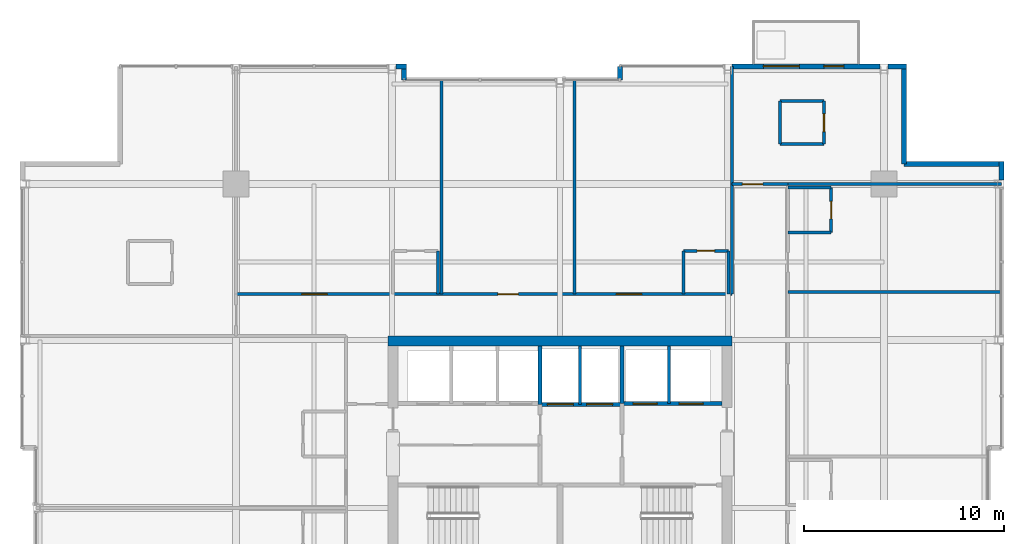
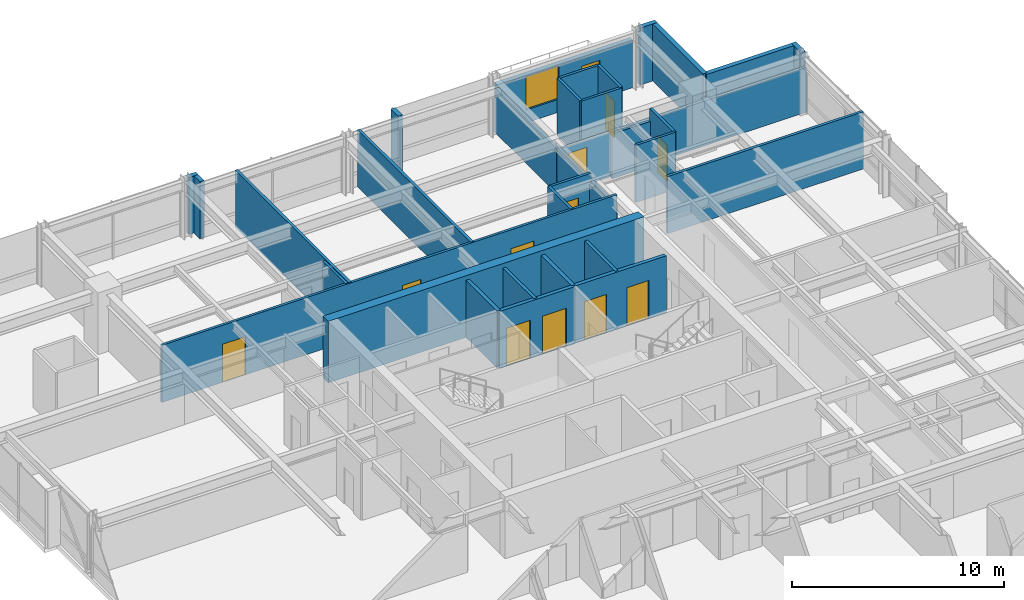
# One storey, part 30 of 34: 34 walls, 12 doors, 1 window, 13 openings.
"""IFC4 building model written with IfcOpenShell, lengths in metres."""

from ifc_helpers import new_model, si_unit, direction, frame, frame_2d, origin, place, context, subcontext, project, spatial, rectangle, extrude, material, layer, layer_set, type_object, element, fill, save


model = new_model("IFC4")

# Units and contexts
model_context = context("Model", 3, precision=1e-05, world=origin(), true_north=direction((0.0, 1.0)))
body_context = subcontext(model_context, "Body", "Model", "MODEL_VIEW")
ifc_project = project(units=[si_unit("LENGTHUNIT", "METRE"), si_unit("AREAUNIT", "SQUARE_METRE"), si_unit("VOLUMEUNIT", "CUBIC_METRE"), si_unit("PLANEANGLEUNIT", "RADIAN"), si_unit("MASSUNIT", "GRAM", prefix="KILO")], contexts=[model_context])

# Site, building, storey
site_placement = place(None, origin())
site = spatial("IfcSite", under=ifc_project, at=site_placement, CompositionType="ELEMENT")
building_placement = place(site_placement, origin())
building = spatial("IfcBuilding", under=site, at=building_placement, Name="Drelvath Grand Hotel", CompositionType="ELEMENT")
storey_placement = place(building_placement, frame((0.0, 0.0, 175.25)))
storey = spatial("IfcBuildingStorey", under=building, at=storey_placement, Name="L45", CompositionType="ELEMENT", Elevation=175.25)

# Wall, openings, doors
ifc_material_1 = material(Name="Concrete C40/50", Category="concrete")
ifc_layer_1 = layer(ifc_material_1, 0.199951171875)
ifc_layer_set_1 = layer_set([ifc_layer_1], Name="Concrete C40/50")
wall_type_1 = type_object("IfcWallType", Name="Core Hoistway Fire Wall 200", PredefinedType="SOLIDWALL", material=ifc_layer_set_1)
wall_1_placement = place(storey_placement, frame((3.10009765625, 32.219970703125, 0.0), z_axis=(0.0, 0.0, 1.0), x_axis=(1.0, 0.0, 0.0)))
wall_1 = element("IfcWall", 1, at=wall_1_placement, inside=storey, type_object=wall_type_1, Name="L45 FSAE Hoistway Front Wall", PredefinedType="SOLIDWALL", context=body_context, shape_type="SweptSolid", body=[
    extrude(rectangle(XDim=5.0, YDim=0.199951171875, at=frame_2d((2.5, 0.0))), origin(), (0.0, 0.0, 1.0), 3.2900390625),
])
opening_1_placement = place(wall_1_placement, frame((0.550048828125, 0.0, 0.0)))
opening_1 = element("IfcOpeningElement", 2, at=opening_1_placement, cuts=wall_1, Name="Opening LD-FSAE-1", PredefinedType="OPENING", context=body_context, shape_type="SweptSolid", body=[
    extrude(rectangle(XDim=1.199951171875, YDim=2.199951171875, at=frame_2d((0.60009765625, 1.10009765625))), frame((0.0, 0.10986328125, 0.0), z_axis=(0.0, -1.0, 0.0), x_axis=(1.0, 0.0, 0.0)), (0.0, 0.0, 1.0), 0.219970703125),
])
opening_2_placement = place(wall_1_placement, frame((2.85009765625, 0.0, 0.0)))
opening_2 = element("IfcOpeningElement", 3, at=opening_2_placement, cuts=wall_1, Name="Opening LD-FSAE-2", PredefinedType="OPENING", context=body_context, shape_type="SweptSolid", body=[
    extrude(rectangle(XDim=1.199951171875, YDim=2.199951171875, at=frame_2d((0.60009765625, 1.10009765625))), frame((0.0, 0.10986328125, 0.0), z_axis=(0.0, -1.0, 0.0), x_axis=(1.0, 0.0, 0.0)), (0.0, 0.0, 1.0), 0.219970703125),
])
ifc_material_2 = material(Name="Stainless Steel S355", Category="steel")
door_type_1 = type_object("IfcDoorType", Name="FSAE Lift Sliding Landing Door 1200x2200", OperationType="NOTDEFINED", PredefinedType="DOOR", material=ifc_material_2)
door_1_placement = place(opening_1_placement, origin())
door_1 = element("IfcDoor", 4, at=door_1_placement, inside=storey, type_object=door_type_1, Name="L45 Lift FSAE-1 Landing Door", OperationType="SLIDING_TO_LEFT", OverallHeight=2.199951171875, OverallWidth=1.199951171875, PredefinedType="DOOR", context=body_context, shape_type="SweptSolid", body=[
    extrude(rectangle(XDim=1.199951171875, YDim=2.199951171875, at=frame_2d((0.60009765625, 1.10009765625))), frame((0.0, 0.02490234375, 0.0), z_axis=(0.0, -1.0, 0.0), x_axis=(1.0, 0.0, 0.0)), (0.0, 0.0, 1.0), 0.050048828125),
])
fill(opening_1, door_1)
door_2_placement = place(opening_2_placement, origin())
door_2 = element("IfcDoor", 5, at=door_2_placement, inside=storey, type_object=door_type_1, Name="L45 Lift FSAE-2 Landing Door", OperationType="SLIDING_TO_LEFT", OverallHeight=2.199951171875, OverallWidth=1.199951171875, PredefinedType="DOOR", context=body_context, shape_type="SweptSolid", body=[
    extrude(rectangle(XDim=1.199951171875, YDim=2.199951171875, at=frame_2d((0.60009765625, 1.10009765625))), frame((0.0, 0.02490234375, 0.0), z_axis=(0.0, -1.0, 0.0), x_axis=(1.0, 0.0, 0.0)), (0.0, 0.0, 1.0), 0.050048828125),
])
fill(opening_2, door_2)

# Wall
wall_2_placement = place(storey_placement, frame((3.10009765625, 32.219970703125, 0.0), z_axis=(0.0, 0.0, 1.0), x_axis=(0.0, 1.0, 0.0)))
element("IfcWall", 6, at=wall_2_placement, inside=storey, type_object=wall_type_1, Name="L45 FSAE Hoistway West Wall", PredefinedType="SOLIDWALL", context=body_context, shape_type="SweptSolid", body=[
    extrude(rectangle(XDim=2.880126953125, YDim=0.199951171875, at=frame_2d((1.43994140625, 0.0))), origin(), (0.0, 0.0, 1.0), 3.2900390625),
])

# Wall, openings, doors
wall_3_placement = place(storey_placement, frame((-1.0, 32.179931640625, 0.0), z_axis=(0.0, 0.0, 1.0), x_axis=(1.0, 0.0, 0.0)))
wall_3 = element("IfcWall", 7, at=wall_3_placement, inside=storey, type_object=wall_type_1, Name="L45 Service Lift Hoistway Wall", PredefinedType="SOLIDWALL", context=body_context, shape_type="SweptSolid", body=[
    extrude(rectangle(XDim=4.10009765625, YDim=0.199951171875, at=frame_2d((2.050048828125, 0.0))), origin(), (0.0, 0.0, 1.0), 3.2900390625),
])
opening_3_placement = place(wall_3_placement, frame((0.3701171875, 0.0, 0.0)))
opening_3 = element("IfcOpeningElement", 8, at=opening_3_placement, cuts=wall_3, Name="Opening LD-SV-2", PredefinedType="OPENING", context=body_context, shape_type="SweptSolid", body=[
    extrude(rectangle(XDim=1.300048828125, YDim=2.199951171875, at=frame_2d((0.64990234375, 1.10009765625))), frame((0.0, 0.10986328125, 0.0), z_axis=(0.0, -1.0, 0.0), x_axis=(1.0, 0.0, 0.0)), (0.0, 0.0, 1.0), 0.219970703125),
])
opening_4_placement = place(wall_3_placement, frame((2.330078125, 0.0, 0.0)))
opening_4 = element("IfcOpeningElement", 9, at=opening_4_placement, cuts=wall_3, Name="Opening LD-SV-1", PredefinedType="OPENING", context=body_context, shape_type="SweptSolid", body=[
    extrude(rectangle(XDim=1.300048828125, YDim=2.199951171875, at=frame_2d((0.64990234375, 1.10009765625))), frame((0.0, 0.10986328125, 0.0), z_axis=(0.0, -1.0, 0.0), x_axis=(1.0, 0.0, 0.0)), (0.0, 0.0, 1.0), 0.219970703125),
])
door_type_2 = type_object("IfcDoorType", Name="Service Lift Sliding Landing Door 1300x2200", OperationType="NOTDEFINED", PredefinedType="DOOR", material=ifc_material_2)
door_3_placement = place(opening_3_placement, origin())
door_3 = element("IfcDoor", 10, at=door_3_placement, inside=storey, type_object=door_type_2, Name="L45 Lift SV-2 Landing Door", OperationType="SLIDING_TO_LEFT", OverallHeight=2.199951171875, OverallWidth=1.300048828125, PredefinedType="DOOR", context=body_context, shape_type="SweptSolid", body=[
    extrude(rectangle(XDim=1.300048828125, YDim=2.199951171875, at=frame_2d((0.64990234375, 1.10009765625))), frame((0.0, 0.02490234375, 0.0), z_axis=(0.0, -1.0, 0.0), x_axis=(1.0, 0.0, 0.0)), (0.0, 0.0, 1.0), 0.050048828125),
])
fill(opening_3, door_3)
door_4_placement = place(opening_4_placement, origin())
door_4 = element("IfcDoor", 11, at=door_4_placement, inside=storey, type_object=door_type_2, Name="L45 Lift SV-1 Landing Door", OperationType="SLIDING_TO_LEFT", OverallHeight=2.199951171875, OverallWidth=1.300048828125, PredefinedType="DOOR", context=body_context, shape_type="SweptSolid", body=[
    extrude(rectangle(XDim=1.300048828125, YDim=2.199951171875, at=frame_2d((0.64990234375, 1.10009765625))), frame((0.0, 0.02490234375, 0.0), z_axis=(0.0, -1.0, 0.0), x_axis=(1.0, 0.0, 0.0)), (0.0, 0.0, 1.0), 0.050048828125),
])
fill(opening_4, door_4)

# Walls
wall_4_placement = place(storey_placement, frame((-1.0, 32.179931640625, 0.0), z_axis=(0.0, 0.0, 1.0), x_axis=(0.0, 1.0, 0.0)))
element("IfcWall", 12, at=wall_4_placement, inside=storey, type_object=wall_type_1, Name="L45 Service Lift West Wall", PredefinedType="SOLIDWALL", context=body_context, shape_type="SweptSolid", body=[
    extrude(rectangle(XDim=2.920166015625, YDim=0.199951171875, at=frame_2d((1.4599609375, 0.0))), origin(), (0.0, 0.0, 1.0), 3.2900390625),
])
ifc_material_3 = material(Name="Gypsum Fireboard Partition")
ifc_layer_2 = layer(ifc_material_3, 0.1650390625)
ifc_layer_set_2 = layer_set([ifc_layer_2], Name="Gypsum Fireboard Partition")
wall_type_2 = type_object("IfcWallType", Name="Core Shaft Partition 165", PredefinedType="PARTITIONING", material=ifc_layer_set_2)
wall_5_placement = place(storey_placement, frame((5.449951171875, 32.219970703125, 0.0), z_axis=(0.0, 0.0, 1.0), x_axis=(0.0, 1.0, 0.0)))
element("IfcWall", 13, at=wall_5_placement, inside=storey, type_object=wall_type_2, Name="L45 FSAE Hoistway Divider", PredefinedType="PARTITIONING", context=body_context, shape_type="SweptSolid", body=[
    extrude(rectangle(XDim=2.880126953125, YDim=0.1650390625, at=frame_2d((1.43994140625, 0.0))), origin(), (0.0, 0.0, 1.0), 3.2900390625),
])
wall_6_placement = place(storey_placement, frame((1.0, 32.179931640625, 0.0), z_axis=(0.0, 0.0, 1.0), x_axis=(0.0, 1.0, 0.0)))
element("IfcWall", 14, at=wall_6_placement, inside=storey, type_object=wall_type_2, Name="L45 Service Lift Divider", PredefinedType="PARTITIONING", context=body_context, shape_type="SweptSolid", body=[
    extrude(rectangle(XDim=2.920166015625, YDim=0.1650390625, at=frame_2d((1.4599609375, 0.0))), origin(), (0.0, 0.0, 1.0), 3.2900390625),
])
ifc_layer_3 = layer(ifc_material_3, 0.135009765625)
ifc_layer_set_3 = layer_set([ifc_layer_3], Name="Gypsum Fireboard Partition")
wall_type_3 = type_object("IfcWallType", Name="Corridor Fire Barrier Wall 135", PredefinedType="PARTITIONING", material=ifc_layer_set_3)
wall_7_placement = place(storey_placement, frame((8.60009765625, 37.699951171875, 0.0), z_axis=(0.0, 0.0, 1.0), x_axis=(0.0, 1.0, 0.0)))
element("IfcWall", 15, at=wall_7_placement, inside=storey, type_object=wall_type_3, Name="L45 East Spine North Inner Wall", PredefinedType="PARTITIONING", context=body_context, shape_type="SweptSolid", body=[
    extrude(rectangle(XDim=5.5, YDim=0.135009765625, at=frame_2d((2.75, 0.0))), origin(), (0.0, 0.0, 1.0), 2.66748046875),
])

# Wall, openings, doors
wall_8_placement = place(storey_placement, frame((-16.199951171875, 37.699951171875, 0.0), z_axis=(0.0, 0.0, 1.0), x_axis=(1.0, 0.0, 0.0)))
wall_8 = element("IfcWall", 16, at=wall_8_placement, inside=storey, type_object=wall_type_3, Name="L45 North Stub Corridor Wall", PredefinedType="PARTITIONING", context=body_context, shape_type="SweptSolid", body=[
    extrude(rectangle(XDim=24.800048828125, YDim=0.135009765625, at=frame_2d((12.39990234375, 0.0))), origin(), (0.0, 0.0, 1.0), 3.2900390625),
])
opening_5_placement = place(wall_8_placement, frame((3.29638671875, 0.0, 0.0)))
opening_5 = element("IfcOpeningElement", 17, at=opening_5_placement, cuts=wall_8, Name="Opening D-T3G3-041", PredefinedType="OPENING", context=body_context, shape_type="SweptSolid", body=[
    extrude(rectangle(XDim=1.260009765625, YDim=2.199951171875, at=frame_2d((0.6298828125, 1.10009765625))), frame((0.0, 0.077392578125, 0.0), z_axis=(0.0, -1.0, 0.0), x_axis=(1.0, 0.0, 0.0)), (0.0, 0.0, 1.0), 0.155029296875),
])
opening_6_placement = place(wall_8_placement, frame((13.099853515625, 0.0, 0.0)))
opening_6 = element("IfcOpeningElement", 18, at=opening_6_placement, cuts=wall_8, Name="Opening D-T3G3-042", PredefinedType="OPENING", context=body_context, shape_type="SweptSolid", body=[
    extrude(rectangle(XDim=1.02001953125, YDim=2.14990234375, at=frame_2d((0.510009765625, 1.074951171875))), frame((0.0, 0.077392578125, 0.0), z_axis=(0.0, -1.0, 0.0), x_axis=(1.0, 0.0, 0.0)), (0.0, 0.0, 1.0), 0.155029296875),
])
opening_7_placement = place(wall_8_placement, frame((19.023193359375, 0.0, 0.0)))
opening_7 = element("IfcOpeningElement", 19, at=opening_7_placement, cuts=wall_8, Name="Opening D-T3G3-044", PredefinedType="OPENING", context=body_context, shape_type="SweptSolid", body=[
    extrude(rectangle(XDim=1.260009765625, YDim=2.199951171875, at=frame_2d((0.6298828125, 1.10009765625))), frame((0.0, 0.077392578125, 0.0), z_axis=(0.0, -1.0, 0.0), x_axis=(1.0, 0.0, 0.0)), (0.0, 0.0, 1.0), 0.155029296875),
])
ifc_material_4 = material(Name="Hardwood Walnut Timber", Category="wood")
door_type_3 = type_object("IfcDoorType", Name="Amenity Meeting Fire Door 1020x2150", OperationType="NOTDEFINED", PredefinedType="DOOR", material=ifc_material_4)
door_5_placement = place(opening_6_placement, origin())
door_5 = element("IfcDoor", 20, at=door_5_placement, inside=storey, type_object=door_type_3, Name="L45 Artisan Coffee Bar Entry Door", OperationType="SINGLE_SWING_RIGHT", OverallHeight=2.14990234375, OverallWidth=1.02001953125, PredefinedType="DOOR", context=body_context, shape_type="SweptSolid", body=[
    extrude(rectangle(XDim=1.02001953125, YDim=2.14990234375, at=frame_2d((0.510009765625, 1.074951171875))), frame((0.0, 0.02490234375, 0.0), z_axis=(0.0, -1.0, 0.0), x_axis=(1.0, 0.0, 0.0)), (0.0, 0.0, 1.0), 0.050048828125),
])
fill(opening_6, door_5)
door_type_4 = type_object("IfcDoorType", Name="Suite Entrance Fire Door 1260x2200", OperationType="NOTDEFINED", PredefinedType="DOOR", material=ifc_material_4)
door_6_placement = place(opening_5_placement, origin())
door_6 = element("IfcDoor", 21, at=door_6_placement, inside=storey, type_object=door_type_4, Name="L45 Executive Suite Entry Door", OperationType="SINGLE_SWING_LEFT", OverallHeight=2.199951171875, OverallWidth=1.260009765625, PredefinedType="DOOR", context=body_context, shape_type="SweptSolid", body=[
    extrude(rectangle(XDim=1.260009765625, YDim=2.199951171875, at=frame_2d((0.6298828125, 1.10009765625))), frame((0.0, 0.02490234375, 0.0), z_axis=(0.0, -1.0, 0.0), x_axis=(1.0, 0.0, 0.0)), (0.0, 0.0, 1.0), 0.050048828125),
])
fill(opening_5, door_6)
door_7_placement = place(opening_7_placement, origin())
door_7 = element("IfcDoor", 22, at=door_7_placement, inside=storey, type_object=door_type_4, Name="L45 Executive Suite Entry Door", OperationType="SINGLE_SWING_RIGHT", OverallHeight=2.199951171875, OverallWidth=1.260009765625, PredefinedType="DOOR", context=body_context, shape_type="SweptSolid", body=[
    extrude(rectangle(XDim=1.260009765625, YDim=2.199951171875, at=frame_2d((0.6298828125, 1.10009765625))), frame((0.0, 0.02490234375, 0.0), z_axis=(0.0, -1.0, 0.0), x_axis=(1.0, 0.0, 0.0)), (0.0, 0.0, 1.0), 0.050048828125),
])
fill(opening_7, door_7)

# Wall, opening, door
wall_9_placement = place(storey_placement, frame((8.60009765625, 43.199951171875, 0.0), z_axis=(0.0, 0.0, 1.0), x_axis=(1.0, 0.0, 0.0)))
wall_9 = element("IfcWall", 23, at=wall_9_placement, inside=storey, type_object=wall_type_3, Name="L45 East Spine North End", PredefinedType="PARTITIONING", context=body_context, shape_type="SweptSolid", body=[
    extrude(rectangle(XDim=2.7998046875, YDim=0.135009765625, at=frame_2d((1.39990234375, 0.0))), origin(), (0.0, 0.0, 1.0), 2.57958984375),
])
opening_8_placement = place(wall_9_placement, frame((0.52001953125, 0.0, 0.0)))
opening_8 = element("IfcOpeningElement", 24, at=opening_8_placement, cuts=wall_9, Name="Opening D-T3G3-031", PredefinedType="OPENING", context=body_context, shape_type="SweptSolid", body=[
    extrude(rectangle(XDim=1.02001953125, YDim=2.14990234375, at=frame_2d((0.510009765625, 1.074951171875))), frame((0.0, 0.077392578125, 0.0), z_axis=(0.0, -1.0, 0.0), x_axis=(1.0, 0.0, 0.0)), (0.0, 0.0, 1.0), 0.155029296875),
])
door_8_placement = place(opening_8_placement, origin())
door_8 = element("IfcDoor", 25, at=door_8_placement, inside=storey, type_object=door_type_3, Name="L45 Executive Suite Entry Door", OperationType="SINGLE_SWING_LEFT", OverallHeight=2.14990234375, OverallWidth=1.02001953125, PredefinedType="DOOR", context=body_context, shape_type="SweptSolid", body=[
    extrude(rectangle(XDim=1.02001953125, YDim=2.14990234375, at=frame_2d((0.510009765625, 1.074951171875))), frame((0.0, 0.02490234375, 0.0), z_axis=(0.0, -1.0, 0.0), x_axis=(1.0, 0.0, 0.0)), (0.0, 0.0, 1.0), 0.050048828125),
])
fill(opening_8, door_8)

# Walls
ifc_material_5 = material(Name="Moisture-Resistant Gypsum Board")
ifc_layer_4 = layer(ifc_material_5, 0.139892578125)
ifc_layer_set_4 = layer_set([ifc_layer_4], Name="Moisture-Resistant Gypsum Board")
wall_type_4 = type_object("IfcWallType", Name="En-Suite Plumbing Wall 140", PredefinedType="PLUMBINGWALL", material=ifc_layer_set_4)
for number, where, z_axis, x_axis, name in (
    (26, (11.0, 45.199951171875, 0.0), (0.0, 0.0, 1.0), (1.0, 0.0, 0.0), "L45 Corner En-Suite South"),
    (27, (11.0, 47.35009765625, 0.0), (0.0, 0.0, 1.0), (1.0, 0.0, 0.0), "L45 Corner En-Suite North"),
):
    element("IfcWall", number, at=place(storey_placement, frame(where, z_axis=z_axis, x_axis=x_axis)), inside=storey, type_object=wall_type_4, Name=name, PredefinedType="PLUMBINGWALL", context=body_context, shape_type="SweptSolid", body=[
        extrude(rectangle(XDim=2.199951171875, YDim=0.139892578125, at=frame_2d((1.10009765625, 0.0))), origin(), (0.0, 0.0, 1.0), 3.2900390625),
    ])
wall_10_placement = place(storey_placement, frame((11.0, 45.199951171875, 0.0), z_axis=(0.0, 0.0, 1.0), x_axis=(0.0, 1.0, 0.0)))
element("IfcWall", 28, at=wall_10_placement, inside=storey, type_object=wall_type_4, Name="L45 Corner En-Suite West", PredefinedType="PLUMBINGWALL", context=body_context, shape_type="SweptSolid", body=[
    extrude(rectangle(XDim=2.150146484375, YDim=0.139892578125, at=frame_2d((1.0751953125, 0.0))), origin(), (0.0, 0.0, 1.0), 3.2900390625),
])

# Wall, opening, door
wall_11_placement = place(storey_placement, frame((13.199951171875, 45.199951171875, 0.0), z_axis=(0.0, 0.0, 1.0), x_axis=(0.0, 1.0, 0.0)))
wall_11 = element("IfcWall", 29, at=wall_11_placement, inside=storey, type_object=wall_type_4, Name="L45 Corner En-Suite East", PredefinedType="PLUMBINGWALL", context=body_context, shape_type="SweptSolid", body=[
    extrude(rectangle(XDim=2.150146484375, YDim=0.139892578125, at=frame_2d((1.0751953125, 0.0))), origin(), (0.0, 0.0, 1.0), 3.2900390625),
])
opening_9_placement = place(wall_11_placement, frame((0.6201171875, 0.0, 0.0)))
opening_9 = element("IfcOpeningElement", 30, at=opening_9_placement, cuts=wall_11, Name="Opening D-T3G3-030", PredefinedType="OPENING", context=body_context, shape_type="SweptSolid", body=[
    extrude(rectangle(XDim=0.8798828125, YDim=2.10009765625, at=frame_2d((0.43994140625, 1.050048828125))), frame((0.0, 0.079833984375, 0.0), z_axis=(0.0, -1.0, 0.0), x_axis=(1.0, 0.0, 0.0)), (0.0, 0.0, 1.0), 0.159912109375),
])
door_type_5 = type_object("IfcDoorType", Name="En-Suite Bathroom Door 880x2100", OperationType="NOTDEFINED", PredefinedType="DOOR", material=ifc_material_4)
door_9_placement = place(opening_9_placement, origin())
door_9 = element("IfcDoor", 31, at=door_9_placement, inside=storey, type_object=door_type_5, Name="L45 Corner En-Suite Door", OperationType="SINGLE_SWING_RIGHT", OverallHeight=2.10009765625, OverallWidth=0.8798828125, PredefinedType="DOOR", context=body_context, shape_type="SweptSolid", body=[
    extrude(rectangle(XDim=0.8798828125, YDim=2.10009765625, at=frame_2d((0.43994140625, 1.050048828125))), frame((0.0, 0.02490234375, 0.0), z_axis=(0.0, -1.0, 0.0), x_axis=(1.0, 0.0, 0.0)), (0.0, 0.0, 1.0), 0.050048828125),
])
fill(opening_9, door_9)

# Walls
for number, where, z_axis, x_axis, name in (
    (32, (-6.09716796875, 37.699951171875, 0.0), (0.0, 0.0, 1.0), (0.0, 1.0, 0.0), "L45 En-Suite Right Wall"),
    (33, (6.169921875, 37.699951171875, 0.0), (0.0, 0.0, 1.0), (0.0, 1.0, 0.0), "L45 En-Suite Left Wall"),
):
    element("IfcWall", number, at=place(storey_placement, frame(where, z_axis=z_axis, x_axis=x_axis)), inside=storey, type_object=wall_type_4, Name=name, PredefinedType="PLUMBINGWALL", context=body_context, shape_type="SweptSolid", body=[
        extrude(rectangle(XDim=2.150146484375, YDim=0.139892578125, at=frame_2d((1.0751953125, 0.0))), origin(), (0.0, 0.0, 1.0), 3.2900390625),
    ])
wall_12_placement = place(storey_placement, frame((8.419921875, 37.699951171875, 0.0), z_axis=(0.0, 0.0, 1.0), x_axis=(0.0, 1.0, 0.0)))
element("IfcWall", 34, at=wall_12_placement, inside=storey, type_object=wall_type_4, Name="L45 En-Suite Right Wall", PredefinedType="PLUMBINGWALL", context=body_context, shape_type="SweptSolid", body=[
    extrude(rectangle(XDim=2.150146484375, YDim=0.139892578125, at=frame_2d((1.0751953125, 0.0))), origin(), (0.0, 0.0, 1.0), 2.66748046875),
])

# Wall, opening, door
wall_13_placement = place(storey_placement, frame((6.169921875, 39.85009765625, 0.0), z_axis=(0.0, 0.0, 1.0), x_axis=(1.0, 0.0, 0.0)))
wall_13 = element("IfcWall", 35, at=wall_13_placement, inside=storey, type_object=wall_type_4, Name="L45 En-Suite Front Wall", PredefinedType="PLUMBINGWALL", context=body_context, shape_type="SweptSolid", body=[
    extrude(rectangle(XDim=2.25, YDim=0.139892578125, at=frame_2d((1.125, 0.0))), origin(), (0.0, 0.0, 1.0), 3.2900390625),
])
opening_10_placement = place(wall_13_placement, frame((0.68505859375, 0.0, 0.0)))
opening_10 = element("IfcOpeningElement", 36, at=opening_10_placement, cuts=wall_13, Name="Opening D-T3G3-043", PredefinedType="OPENING", context=body_context, shape_type="SweptSolid", body=[
    extrude(rectangle(XDim=0.8798828125, YDim=2.10009765625, at=frame_2d((0.43994140625, 1.050048828125))), frame((0.0, 0.079833984375, 0.0), z_axis=(0.0, -1.0, 0.0), x_axis=(1.0, 0.0, 0.0)), (0.0, 0.0, 1.0), 0.159912109375),
])
door_10_placement = place(opening_10_placement, origin())
door_10 = element("IfcDoor", 37, at=door_10_placement, inside=storey, type_object=door_type_5, Name="L45 En-Suite Bathroom Door", OperationType="SINGLE_SWING_LEFT", OverallHeight=2.10009765625, OverallWidth=0.8798828125, PredefinedType="DOOR", context=body_context, shape_type="SweptSolid", body=[
    extrude(rectangle(XDim=0.8798828125, YDim=2.10009765625, at=frame_2d((0.43994140625, 1.050048828125))), frame((0.0, 0.02490234375, 0.0), z_axis=(0.0, -1.0, 0.0), x_axis=(1.0, 0.0, 0.0)), (0.0, 0.0, 1.0), 0.050048828125),
])
fill(opening_10, door_10)

# Walls
wall_14_placement = place(storey_placement, frame((11.39990234375, 40.77001953125, 0.0), z_axis=(0.0, 0.0, 1.0), x_axis=(1.0, 0.0, 0.0)))
element("IfcWall", 38, at=wall_14_placement, inside=storey, type_object=wall_type_4, Name="L45 En-Suite Left Wall", PredefinedType="PLUMBINGWALL", context=body_context, shape_type="SweptSolid", body=[
    extrude(rectangle(XDim=2.150146484375, YDim=0.139892578125, at=frame_2d((1.0751953125, 0.0))), origin(), (0.0, 0.0, 1.0), 3.2900390625),
])
wall_15_placement = place(storey_placement, frame((11.39990234375, 43.02001953125, 0.0), z_axis=(0.0, 0.0, 1.0), x_axis=(1.0, 0.0, 0.0)))
element("IfcWall", 39, at=wall_15_placement, inside=storey, type_object=wall_type_4, Name="L45 En-Suite Right Wall", PredefinedType="PLUMBINGWALL", context=body_context, shape_type="SweptSolid", body=[
    extrude(rectangle(XDim=2.150146484375, YDim=0.139892578125, at=frame_2d((1.0751953125, 0.0))), origin(), (0.0, 0.0, 1.0), 2.57958984375),
])

# Wall, opening, door
wall_16_placement = place(storey_placement, frame((13.550048828125, 40.77001953125, 0.0), z_axis=(0.0, 0.0, 1.0), x_axis=(0.0, 1.0, 0.0)))
wall_16 = element("IfcWall", 40, at=wall_16_placement, inside=storey, type_object=wall_type_4, Name="L45 En-Suite Front Wall", PredefinedType="PLUMBINGWALL", context=body_context, shape_type="SweptSolid", body=[
    extrude(rectangle(XDim=2.25, YDim=0.139892578125, at=frame_2d((1.125, 0.0))), origin(), (0.0, 0.0, 1.0), 3.2900390625),
])
opening_11_placement = place(wall_16_placement, frame((0.68505859375, 0.0, 0.0)))
opening_11 = element("IfcOpeningElement", 41, at=opening_11_placement, cuts=wall_16, Name="Opening D-T3G3-051", PredefinedType="OPENING", context=body_context, shape_type="SweptSolid", body=[
    extrude(rectangle(XDim=0.8798828125, YDim=2.10009765625, at=frame_2d((0.43994140625, 1.050048828125))), frame((0.0, 0.079833984375, 0.0), z_axis=(0.0, -1.0, 0.0), x_axis=(1.0, 0.0, 0.0)), (0.0, 0.0, 1.0), 0.159912109375),
])
door_11_placement = place(opening_11_placement, origin())
door_11 = element("IfcDoor", 42, at=door_11_placement, inside=storey, type_object=door_type_5, Name="L45 En-Suite Bathroom Door", OperationType="SINGLE_SWING_LEFT", OverallHeight=2.10009765625, OverallWidth=0.8798828125, PredefinedType="DOOR", context=body_context, shape_type="SweptSolid", body=[
    extrude(rectangle(XDim=0.8798828125, YDim=2.10009765625, at=frame_2d((0.43994140625, 1.050048828125))), frame((0.0, 0.02490234375, 0.0), z_axis=(0.0, -1.0, 0.0), x_axis=(1.0, 0.0, 0.0)), (0.0, 0.0, 1.0), 0.050048828125),
])
fill(opening_11, door_11)

# Walls
ifc_material_6 = material(Name="Gypsum Acoustic Partition")
ifc_layer_5 = layer(ifc_material_6, 0.14990234375)
ifc_layer_set_5 = layer_set([ifc_layer_5], Name="Gypsum Acoustic Partition")
wall_type_5 = type_object("IfcWallType", Name="Guestroom Demising Wall 150", PredefinedType="PARTITIONING", material=ifc_layer_set_5)
for number, where, z_axis, x_axis, name in (
    (43, (-5.9169921875, 37.699951171875, 0.0), (0.0, 0.0, 1.0), (0.0, 1.0, 0.0), "L45 North Demising 1"),
    (44, (0.736572265625, 37.699951171875, 0.0), (0.0, 0.0, 1.0), (0.0, 1.0, 0.0), "L45 North Demising 2"),
):
    element("IfcWall", number, at=place(storey_placement, frame(where, z_axis=z_axis, x_axis=x_axis)), inside=storey, type_object=wall_type_5, Name=name, PredefinedType="PARTITIONING", context=body_context, shape_type="SweptSolid", body=[
        extrude(rectangle(XDim=10.699951171875, YDim=0.14990234375, at=frame_2d((5.35009765625, 0.0))), origin(), (0.0, 0.0, 1.0), 3.2900390625),
    ])
wall_17_placement = place(storey_placement, frame((11.39990234375, 37.800048828125, 0.0), z_axis=(0.0, 0.0, 1.0), x_axis=(1.0, 0.0, 0.0)))
element("IfcWall", 45, at=wall_17_placement, inside=storey, type_object=wall_type_5, Name="L45 East Demising 4", PredefinedType="PARTITIONING", context=body_context, shape_type="SweptSolid", body=[
    extrude(rectangle(XDim=10.68017578125, YDim=0.14990234375, at=frame_2d((5.340087890625, 0.0))), origin(), (0.0, 0.0, 1.0), 3.2900390625),
])
ifc_layer_6 = layer(ifc_material_6, 0.1650390625)
ifc_layer_set_6 = layer_set([ifc_layer_6], Name="Gypsum Acoustic Partition")
wall_type_6 = type_object("IfcWallType", Name="Suite Demising Wall 165", PredefinedType="PARTITIONING", material=ifc_layer_set_6)
wall_18_placement = place(storey_placement, frame((8.60009765625, 43.199951171875, 0.0), z_axis=(0.0, 0.0, 1.0), x_axis=(0.0, 1.0, 0.0)))
element("IfcWall", 46, at=wall_18_placement, inside=storey, type_object=wall_type_6, Name="L45 NE Suite West Wall", PredefinedType="PARTITIONING", context=body_context, shape_type="SweptSolid", body=[
    extrude(rectangle(XDim=5.880126953125, YDim=0.1650390625, at=frame_2d((2.93994140625, 0.0))), origin(), (0.0, 0.0, 1.0), 2.57958984375),
])
wall_19_placement = place(storey_placement, frame((11.39990234375, 43.199951171875, 0.0), z_axis=(0.0, 0.0, 1.0), x_axis=(1.0, 0.0, 0.0)))
element("IfcWall", 47, at=wall_19_placement, inside=storey, type_object=wall_type_6, Name="L45 NE Suite South Wall", PredefinedType="PARTITIONING", context=body_context, shape_type="SweptSolid", body=[
    extrude(rectangle(XDim=10.68017578125, YDim=0.1650390625, at=frame_2d((5.340087890625, 0.0))), origin(), (0.0, 0.0, 1.0), 2.57958984375),
])
ifc_material_7 = material(Name="Pale-Metal Insulated Aluminium Spandrel Assembly", Category="aluminium")
ifc_layer_7 = layer(ifc_material_7, 0.239990234375)
ifc_layer_set_7 = layer_set([ifc_layer_7], Name="Pale-Metal Insulated Aluminium Spandrel Assembly")
wall_type_7 = type_object("IfcWallType", Name="Tower Insulated Metal Spandrel Closure Wall 240", PredefinedType="STANDARD", material=ifc_layer_set_7)
wall_20_placement = place(storey_placement, frame((22.080078125, 44.320068359375, 0.0), z_axis=(0.0, 0.0, 1.0), x_axis=(0.0, -1.0, 0.0)))
element("IfcWall", 48, at=wall_20_placement, inside=storey, type_object=wall_type_7, Name="L45 Corner Pier Spandrel Wall EN3", PredefinedType="STANDARD", context=body_context, shape_type="SweptSolid", body=[
    extrude(rectangle(XDim=0.919921875, YDim=0.239990234375, at=frame_2d((0.4599609375, 0.0))), origin(), (0.0, 0.0, 1.0), 3.2900390625),
])
wall_21_placement = place(storey_placement, frame((-8.199951171875, 49.080078125, 0.0), z_axis=(0.0, 0.0, 1.0), x_axis=(1.0, 0.0, 0.0)))
element("IfcWall", 49, at=wall_21_placement, inside=storey, type_object=wall_type_7, Name="L45 Corner Pier Spandrel Wall NW3", PredefinedType="STANDARD", context=body_context, shape_type="SweptSolid", body=[
    extrude(rectangle(XDim=0.52001953125, YDim=0.239990234375, at=frame_2d((0.260009765625, 0.0))), origin(), (0.0, 0.0, 1.0), 3.2900390625),
])

# Wall, openings, window, door
wall_22_placement = place(storey_placement, frame((8.60009765625, 49.080078125, 0.0), z_axis=(0.0, 0.0, 1.0), x_axis=(1.0, 0.0, 0.0)))
wall_22 = element("IfcWall", 50, at=wall_22_placement, inside=storey, type_object=wall_type_7, Name="L45 Exterior Terrace Door Bay Wall NE2", PredefinedType="STANDARD", context=body_context, shape_type="SweptSolid", body=[
    extrude(rectangle(XDim=7.39990234375, YDim=0.239990234375, at=frame_2d((3.699951171875, 0.0))), origin(), (0.0, 0.0, 1.0), 2.75341796875),
])
opening_12_placement = place(wall_22_placement, frame((4.599853515625, 0.0, 0.0)))
opening_12 = element("IfcOpeningElement", 51, at=opening_12_placement, cuts=wall_22, Name="Opening TD-1000", PredefinedType="OPENING", context=body_context, shape_type="SweptSolid", body=[
    extrude(rectangle(XDim=1.0, YDim=2.199951171875, at=frame_2d((0.5, 1.10009765625))), frame((0.0, 0.1298828125, 0.0), z_axis=(0.0, -1.0, 0.0), x_axis=(1.0, 0.0, 0.0)), (0.0, 0.0, 1.0), 0.260009765625),
])
opening_13_placement = place(wall_22_placement, frame((1.574951171875, 0.0, 0.75)))
opening_13 = element("IfcOpeningElement", 52, at=opening_13_placement, cuts=wall_22, Name="Opening W-02", PredefinedType="OPENING", context=body_context, shape_type="SweptSolid", body=[
    extrude(rectangle(XDim=1.800048828125, YDim=1.9033203125, at=frame_2d((0.89990234375, 0.95166015625))), frame((0.0, 0.1298828125, 0.0), z_axis=(0.0, -1.0, 0.0), x_axis=(1.0, 0.0, 0.0)), (0.0, 0.0, 1.0), 0.260009765625),
])
ifc_material_8 = material(Name="Bronze Anodised Low-E Triple Glazing", Category="glass")
window_type = type_object("IfcWindowType", Name="Chicago Double-Pane Podium Window 1800x2400", PartitioningType="DOUBLE_PANEL_VERTICAL", PredefinedType="WINDOW", material=ifc_material_8)
window_placement = place(opening_13_placement, origin())
window = element("IfcWindow", 53, at=window_placement, inside=storey, type_object=window_type, Name="L45 Terrace Bay Companion Window NE2", OverallHeight=1.9033203125, OverallWidth=1.800048828125, PartitioningType="SINGLE_PANEL", PredefinedType="WINDOW", context=body_context, shape_type="SweptSolid", body=[
    extrude(rectangle(XDim=1.800048828125, YDim=1.9033203125, at=frame_2d((0.89990234375, 0.95166015625))), frame((0.0, 0.030029296875, 0.0), z_axis=(0.0, -1.0, 0.0), x_axis=(1.0, 0.0, 0.0)), (0.0, 0.0, 1.0), 0.06005859375),
])
fill(opening_13, window)
ifc_material_9 = material(Name="Anodised Aluminium Thermally Broken Glazed Door", Category="aluminium")
door_type_6 = type_object("IfcDoorType", Name="Terrace and Tree Balcony Glazed Door 1000x2200", OperationType="NOTDEFINED", PredefinedType="DOOR", material=ifc_material_9)
door_12_placement = place(opening_12_placement, origin())
door_12 = element("IfcDoor", 54, at=door_12_placement, inside=storey, type_object=door_type_6, Name="L45 Tree Balcony Door DOOR-L45-TBAL-1", OperationType="SINGLE_SWING_RIGHT", OverallHeight=2.199951171875, OverallWidth=1.0, PredefinedType="DOOR", context=body_context, shape_type="SweptSolid", body=[
    extrude(rectangle(XDim=1.0, YDim=2.199951171875, at=frame_2d((0.5, 1.10009765625))), frame((0.0, 0.02490234375, 0.0), z_axis=(0.0, -1.0, 0.0), x_axis=(1.0, 0.0, 0.0)), (0.0, 0.0, 1.0), 0.050048828125),
])
fill(opening_12, door_12)

# Walls
wall_23_placement = place(storey_placement, frame((16.400146484375, 49.080078125, 0.0), z_axis=(0.0, 0.0, 1.0), x_axis=(1.0, 0.0, 0.0)))
element("IfcWall", 55, at=wall_23_placement, inside=storey, type_object=wall_type_7, Name="L45 Corner Pier Spandrel Wall NE3", PredefinedType="STANDARD", context=body_context, shape_type="SweptSolid", body=[
    extrude(rectangle(XDim=0.919921875, YDim=0.239990234375, at=frame_2d((0.4599609375, 0.0))), origin(), (0.0, 0.0, 1.0), 3.2900390625),
])
for number, where, z_axis, x_axis, name in (
    (56, (17.199951171875, 48.9599609375, 0.0), (0.0, 0.0, 1.0), (0.0, -1.0, 0.0), "L45 Notched Corner Return Spandrel Wall CNE1"),
    (57, (17.199951171875, 44.199951171875, 0.0), (0.0, 0.0, 1.0), (1.0, 0.0, 0.0), "L45 Notched Corner Return Spandrel Wall CNE2"),
):
    element("IfcWall", number, at=place(storey_placement, frame(where, z_axis=z_axis, x_axis=x_axis)), inside=storey, type_object=wall_type_7, Name=name, PredefinedType="STANDARD", context=body_context, shape_type="SweptSolid", body=[
        extrude(rectangle(XDim=4.760009765625, YDim=0.239990234375, at=frame_2d((2.3798828125, 0.0))), origin(), (0.0, 0.0, 1.0), 3.2900390625),
    ])
wall_24_placement = place(storey_placement, frame((-7.800048828125, 48.9599609375, 0.0), z_axis=(0.0, 0.0, 1.0), x_axis=(0.0, -1.0, 0.0)))
element("IfcWall", 58, at=wall_24_placement, inside=storey, type_object=wall_type_7, Name="L45 Notched Corner Return Spandrel Wall RN1", PredefinedType="STANDARD", context=body_context, shape_type="SweptSolid", body=[
    extrude(rectangle(XDim=0.56005859375, YDim=0.239990234375, at=frame_2d((0.280029296875, 0.0))), origin(), (0.0, 0.0, 1.0), 3.2900390625),
])
wall_25_placement = place(storey_placement, frame((3.0, 48.39990234375, 0.0), z_axis=(0.0, 0.0, 1.0), x_axis=(0.0, 1.0, 0.0)))
element("IfcWall", 59, at=wall_25_placement, inside=storey, type_object=wall_type_7, Name="L45 Notched Corner Return Spandrel Wall RN2", PredefinedType="STANDARD", context=body_context, shape_type="SweptSolid", body=[
    extrude(rectangle(XDim=0.68017578125, YDim=0.239990234375, at=frame_2d((0.340087890625, 0.0))), origin(), (0.0, 0.0, 1.0), 3.2900390625),
])
ifc_material_10 = material(Name="Concrete f'c 55 MPa", Category="concrete")
ifc_layer_8 = layer(ifc_material_10, 0.5)
ifc_layer_set_8 = layer_set([ifc_layer_8], Name="Concrete f'c 55 MPa")
wall_type_8 = type_object("IfcWallType", Name="Upper Core RC Shear Wall 500", PredefinedType="SHEAR", material=ifc_layer_set_8)
wall_26_placement = place(storey_placement, frame((-8.60009765625, 35.35009765625, 0.0), z_axis=(0.0, 0.0, 1.0), x_axis=(1.0, 0.0, 0.0)))
element("IfcWall", 60, at=wall_26_placement, inside=storey, type_object=wall_type_8, Name="L45 Central Core Shear Wall N", PredefinedType="SHEAR", context=body_context, shape_type="SweptSolid", body=[
    extrude(rectangle(XDim=17.2001953125, YDim=0.5, at=frame_2d((8.60009765625, 0.0))), origin(), (0.0, 0.0, 1.0), 3.550048828125),
])

save(model, "model.ifc")
